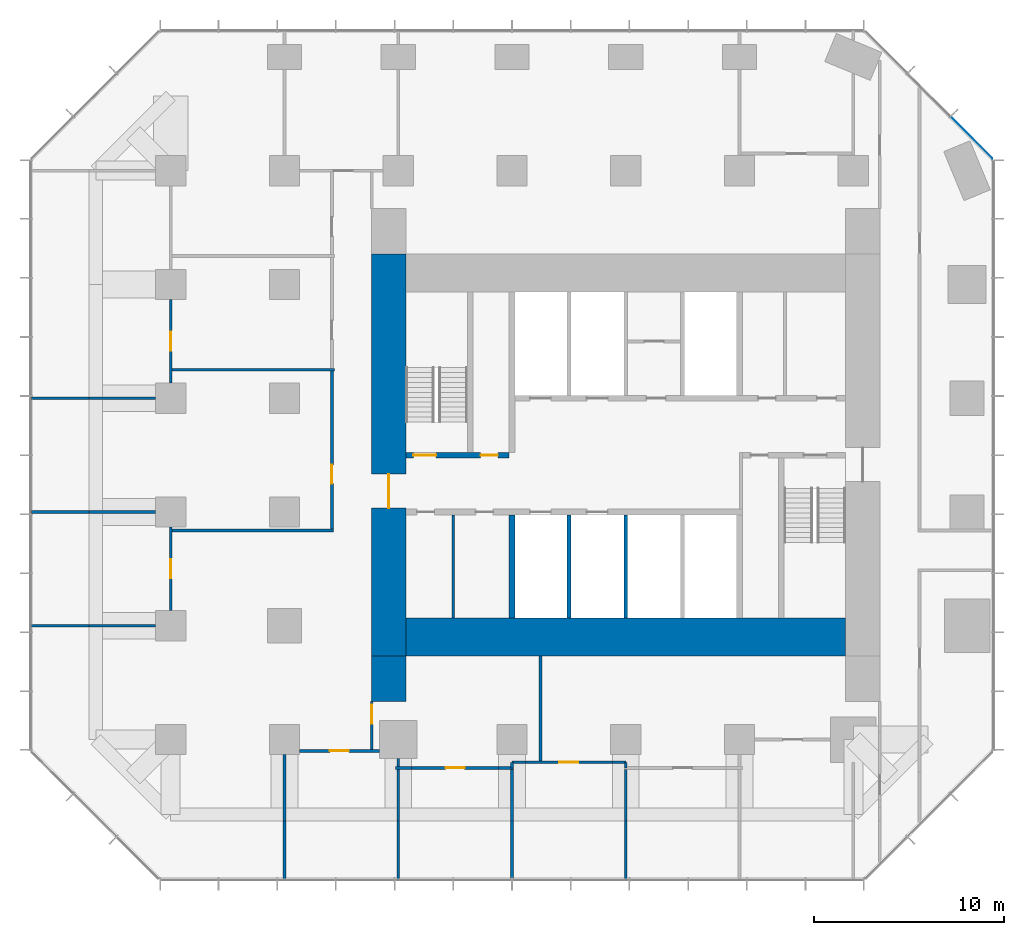
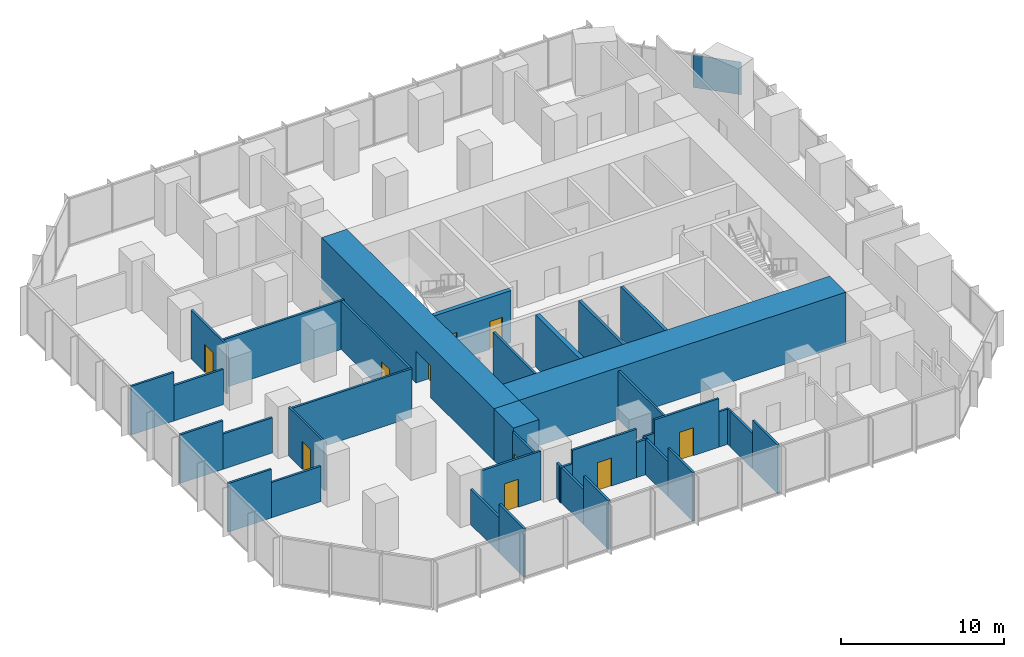
# One storey, part 9 of 13: 39 walls, 10 doors, 1 plate, 10 openings, 1 element without a shape of its own.
"""IFC4 building model written with IfcOpenShell, lengths in metres."""

from ifc_helpers import new_model, si_unit, direction, frame, frame_2d, origin, origin_2d, place, context, subcontext, project, spatial, rectangle, extrude, material, layer, layer_set, type_object, element, fill, aggregate, save


model = new_model("IFC4")

# Units and contexts
model_context = context("Model", 3, precision=1e-05, world=origin(), true_north=direction((0.0, 1.0)))
body_context = subcontext(model_context, "Body", "Model", "MODEL_VIEW")
ifc_project = project(units=[si_unit("LENGTHUNIT", "METRE"), si_unit("AREAUNIT", "SQUARE_METRE"), si_unit("VOLUMEUNIT", "CUBIC_METRE"), si_unit("PLANEANGLEUNIT", "RADIAN"), si_unit("MASSUNIT", "GRAM", prefix="KILO")], contexts=[model_context])

# Site, building, storey
site_placement = place(None, origin())
site = spatial("IfcSite", under=ifc_project, at=site_placement, CompositionType="ELEMENT")
building_placement = place(site_placement, origin())
building = spatial("IfcBuilding", under=site, at=building_placement, Name="Highveld Stack Headquarters", CompositionType="ELEMENT")
storey_placement = place(building_placement, frame((0.0, 0.0, 136.699951171875)))
storey = spatial("IfcBuildingStorey", under=building, at=storey_placement, Name="L33", CompositionType="ELEMENT", Elevation=136.699951171875)

# Curtain wall, plate
ifc_material_1 = material(Name="Aluminium bronze anodised", Category="aluminium")
ifc_layer_1 = layer(ifc_material_1, 0.199951171875)
ifc_layer_set_1 = layer_set([ifc_layer_1], Name="Aluminium bronze anodised")
curtain_wall_type = type_object("IfcCurtainWallType", Name="CW2 TOWER CHAMFER UNITISED CURTAIN WALL", PredefinedType="NOTDEFINED", material=ifc_layer_set_1)
curtain_wall_placement = place(storey_placement, origin())
curtain_wall = element("IfcCurtainWall", 1, at=curtain_wall_placement, inside=storey, type_object=curtain_wall_type, Name="Curtain wall CW2 L33 NE", PredefinedType="NOTDEFINED")
ifc_material_2 = material(Name="Glass bronze tinted double glazed unit", Category="glass")
ifc_layer_2 = layer(ifc_material_2, 0.028076171875)
ifc_layer_set_2 = layer_set([ifc_layer_2], Name="Glass bronze tinted double glazed unit")
plate_type = type_object("IfcPlateType", Name="CW2 PANEL BRONZE TINTED DOUBLE GLAZED UNIT", PredefinedType="CURTAIN_PANEL", material=ifc_layer_set_2)
plate_placement = place(storey_placement, frame((24.239501953125, 19.740478515625, 0.10009765625), z_axis=(0.0, 0.0, 1.0), x_axis=(-0.707106781187, 0.707106781187, 0.0)))
plate = element("IfcPlate", 2, at=plate_placement, type_object=plate_type, Name="CW2 panel L33 1.1", PredefinedType="CURTAIN_PANEL", context=body_context, shape_type="SweptSolid", body=[
    extrude(rectangle(XDim=3.08251953125, YDim=0.028076171875, at=origin_2d()), origin(), (0.0, 0.0, 1.0), 2.449951171875),
])
aggregate(curtain_wall, [plate])

# Wall, opening, door
ifc_material_3 = material(Name="Concrete C60/75", Category="concrete")
ifc_layer_3 = layer(ifc_material_3, 1.800048828125)
ifc_layer_set_3 = layer_set([ifc_layer_3], Name="Concrete C60/75")
wall_type_1 = type_object("IfcWallType", Name="CORE WALL 1800 C60/75", PredefinedType="SHEAR", material=ifc_layer_set_3)
wall_1_placement = place(storey_placement, frame((-6.5, -7.60009765625, 0.0), z_axis=(0.0, 0.0, 1.0), x_axis=(0.0, 1.0, 0.0)))
wall_1 = element("IfcWall", 3, at=wall_1_placement, inside=storey, type_object=wall_type_1, Name="Core wall W L33", PredefinedType="SHEAR", context=body_context, shape_type="SweptSolid", body=[
    extrude(rectangle(XDim=21.2001953125, YDim=1.800048828125, at=frame_2d((10.60009765625, 0.0))), origin(), (0.0, 0.0, 1.0), 3.900146484375),
])
opening_1_placement = place(wall_1_placement, frame((7.800048828125, 0.0, 0.0)))
opening_1 = element("IfcOpeningElement", 4, at=opening_1_placement, cuts=wall_1, Name="Opening L33-01", PredefinedType="OPENING", context=body_context, shape_type="SweptSolid", body=[
    extrude(rectangle(XDim=1.800048828125, YDim=2.39990234375, at=frame_2d((0.89990234375, 1.199951171875))), frame((0.0, 0.909912109375, 0.0), z_axis=(0.0, -1.0, 0.0), x_axis=(1.0, 0.0, 0.0)), (0.0, 0.0, 1.0), 1.820068359375),
])
ifc_material_4 = material(Name="Steel fire door", Category="steel")
door_type_1 = type_object("IfcDoorType", Name="LOBBY FIRE DOOR D4 1800x2400", OperationType="DOUBLE_DOOR_SINGLE_SWING", PredefinedType="DOOR", material=ifc_material_4)
door_1_placement = place(opening_1_placement, origin())
door_1 = element("IfcDoor", 5, at=door_1_placement, inside=storey, type_object=door_type_1, Name="Core west door L33", OperationType="DOUBLE_DOOR_SINGLE_SWING", OverallHeight=2.39990234375, OverallWidth=1.800048828125, PredefinedType="DOOR", context=body_context, shape_type="SweptSolid", body=[
    extrude(rectangle(XDim=1.800048828125, YDim=2.39990234375, at=frame_2d((0.89990234375, 1.199951171875))), frame((0.0, 0.02490234375, 0.0), z_axis=(0.0, -1.0, 0.0), x_axis=(1.0, 0.0, 0.0)), (0.0, 0.0, 1.0), 0.050048828125),
])
fill(opening_1, door_1)

# Wall
ifc_material_5 = material(Name="Concrete C60/75", Category="concrete")
ifc_layer_4 = layer(ifc_material_5, 2.0)
ifc_layer_set_4 = layer_set([ifc_layer_4], Name="Concrete C60/75")
wall_type_2 = type_object("IfcWallType", Name="CORE WALL 2000 C60/75", PredefinedType="SHEAR", material=ifc_layer_set_4)
wall_2_placement = place(storey_placement, frame((-5.60009765625, -6.60009765625, 0.0), z_axis=(0.0, 0.0, 1.0), x_axis=(1.0, 0.0, 0.0)))
element("IfcWall", 6, at=wall_2_placement, inside=storey, type_object=wall_type_2, Name="Core wall S L33", PredefinedType="SHEAR", context=body_context, shape_type="SweptSolid", body=[
    extrude(rectangle(XDim=23.2001953125, YDim=2.0, at=frame_2d((11.60009765625, 0.0))), origin(), (0.0, 0.0, 1.0), 3.900146484375),
])

# Wall, openings, doors
ifc_material_6 = material(Name="Concrete C60/75", Category="concrete")
ifc_layer_5 = layer(ifc_material_6, 0.300048828125)
ifc_layer_set_5 = layer_set([ifc_layer_5], Name="Concrete C60/75")
wall_type_3 = type_object("IfcWallType", Name="CORE WALL 300 C60/75", PredefinedType="SHEAR", material=ifc_layer_set_5)
wall_3_placement = place(storey_placement, frame((-5.60009765625, 3.0, 0.0), z_axis=(0.0, 0.0, 1.0), x_axis=(1.0, 0.0, 0.0)))
wall_3 = element("IfcWall", 7, at=wall_3_placement, inside=storey, type_object=wall_type_3, Name="Core wall I-Y3W L33", PredefinedType="SHEAR", context=body_context, shape_type="SweptSolid", body=[
    extrude(rectangle(XDim=5.4501953125, YDim=0.300048828125, at=frame_2d((2.72509765625, 0.0))), origin(), (0.0, 0.0, 1.0), 3.900146484375),
])
opening_2_placement = place(wall_3_placement, frame((0.39990234375, 0.0, 0.0)))
opening_2 = element("IfcOpeningElement", 8, at=opening_2_placement, cuts=wall_3, Name="Opening L33-03", PredefinedType="OPENING", context=body_context, shape_type="SweptSolid", body=[
    extrude(rectangle(XDim=1.199951171875, YDim=2.10009765625, at=frame_2d((0.60009765625, 1.050048828125))), frame((0.0, 0.159912109375, 0.0), z_axis=(0.0, -1.0, 0.0), x_axis=(1.0, 0.0, 0.0)), (0.0, 0.0, 1.0), 0.320068359375),
])
opening_3_placement = place(wall_3_placement, frame((3.949951171875, 0.0, 0.0)))
opening_3 = element("IfcOpeningElement", 9, at=opening_3_placement, cuts=wall_3, Name="Opening L33-04", PredefinedType="OPENING", context=body_context, shape_type="SweptSolid", body=[
    extrude(rectangle(XDim=0.89990234375, YDim=2.10009765625, at=frame_2d((0.449951171875, 1.050048828125))), frame((0.0, 0.159912109375, 0.0), z_axis=(0.0, -1.0, 0.0), x_axis=(1.0, 0.0, 0.0)), (0.0, 0.0, 1.0), 0.320068359375),
])
ifc_material_7 = material(Name="Steel fire door", Category="steel")
door_type_2 = type_object("IfcDoorType", Name="RISER ACCESS DOOR D5 900x2100", OperationType="SINGLE_SWING_LEFT", PredefinedType="DOOR", material=ifc_material_7)
door_2_placement = place(opening_3_placement, origin())
door_2 = element("IfcDoor", 10, at=door_2_placement, inside=storey, type_object=door_type_2, Name="Riser R1 door L33", OperationType="SINGLE_SWING_RIGHT", OverallHeight=2.10009765625, OverallWidth=0.89990234375, PredefinedType="DOOR", context=body_context, shape_type="SweptSolid", body=[
    extrude(rectangle(XDim=0.89990234375, YDim=2.10009765625, at=frame_2d((0.449951171875, 1.050048828125))), frame((0.0, 0.02490234375, 0.0), z_axis=(0.0, -1.0, 0.0), x_axis=(1.0, 0.0, 0.0)), (0.0, 0.0, 1.0), 0.050048828125),
])
fill(opening_3, door_2)
ifc_material_8 = material(Name="Steel fire door", Category="steel")
door_type_3 = type_object("IfcDoorType", Name="STAIR FIRE DOOR D3 1200x2100", OperationType="SINGLE_SWING_LEFT", PredefinedType="DOOR", material=ifc_material_8)
door_3_placement = place(opening_2_placement, origin())
door_3 = element("IfcDoor", 11, at=door_3_placement, inside=storey, type_object=door_type_3, Name="Stair S1 door L33", OperationType="SINGLE_SWING_LEFT", OverallHeight=2.10009765625, OverallWidth=1.199951171875, PredefinedType="DOOR", context=body_context, shape_type="SweptSolid", body=[
    extrude(rectangle(XDim=1.199951171875, YDim=2.10009765625, at=frame_2d((0.60009765625, 1.050048828125))), frame((0.0, 0.02490234375, 0.0), z_axis=(0.0, -1.0, 0.0), x_axis=(1.0, 0.0, 0.0)), (0.0, 0.0, 1.0), 0.050048828125),
])
fill(opening_2, door_3)

# Walls
wall_4_placement = place(storey_placement, frame((0.0, -5.60009765625, 0.0), z_axis=(0.0, 0.0, 1.0), x_axis=(0.0, 1.0, 0.0)))
element("IfcWall", 12, at=wall_4_placement, inside=storey, type_object=wall_type_3, Name="Core wall I-X0S L33", PredefinedType="SHEAR", context=body_context, shape_type="SweptSolid", body=[
    extrude(rectangle(XDim=5.4501953125, YDim=0.300048828125, at=frame_2d((2.72509765625, 0.0))), origin(), (0.0, 0.0, 1.0), 3.900146484375),
])
ifc_material_9 = material(Name="Concrete C60/75", Category="concrete")
ifc_layer_6 = layer(ifc_material_9, 1.800048828125)
ifc_layer_set_6 = layer_set([ifc_layer_6], Name="Concrete C60/75")
wall_type_4 = type_object("IfcWallType", Name="CORE WING WALL 1800 C60/75", PredefinedType="SHEAR", material=ifc_layer_set_6)
wall_5_placement = place(storey_placement, frame((-6.5, -10.0, 0.0), z_axis=(0.0, 0.0, 1.0), x_axis=(0.0, 1.0, 0.0)))
element("IfcWall", 13, at=wall_5_placement, inside=storey, type_object=wall_type_4, Name="Core wing wall WS L33", PredefinedType="SHEAR", context=body_context, shape_type="SweptSolid", body=[
    extrude(rectangle(XDim=2.39990234375, YDim=1.800048828125, at=frame_2d((1.199951171875, 0.0))), origin(), (0.0, 0.0, 1.0), 3.900146484375),
])

# Wall, opening, door
ifc_material_10 = material(Name="Laminated glass in aluminium frame", Category="aluminium")
ifc_layer_7 = layer(ifc_material_10, 0.14990234375)
ifc_layer_set_7 = layer_set([ifc_layer_7], Name="Laminated glass in aluminium frame")
wall_type_5 = type_object("IfcWallType", Name="GLAZED PARTITION 150", PredefinedType="PARTITIONING", material=ifc_layer_set_7)
wall_6_placement = place(storey_placement, frame((-11.199951171875, -12.60009765625, 0.0), z_axis=(0.0, 0.0, 1.0), x_axis=(1.0, 0.0, 0.0)))
wall_6 = element("IfcWall", 14, at=wall_6_placement, inside=storey, type_object=wall_type_5, Name="Glazed partition Video conference room L33", PredefinedType="PARTITIONING", context=body_context, shape_type="SweptSolid", body=[
    extrude(rectangle(XDim=4.199951171875, YDim=0.14990234375, at=frame_2d((2.10009765625, 0.0))), origin(), (0.0, 0.0, 1.0), 3.650146484375),
])
opening_4_placement = place(wall_6_placement, frame((1.60009765625, 0.0, 0.0)))
opening_4 = element("IfcOpeningElement", 15, at=opening_4_placement, cuts=wall_6, Name="Opening L33-13", PredefinedType="OPENING", context=body_context, shape_type="SweptSolid", body=[
    extrude(rectangle(XDim=1.0, YDim=2.10009765625, at=frame_2d((0.5, 1.050048828125))), frame((0.0, 0.0849609375, 0.0), z_axis=(0.0, -1.0, 0.0), x_axis=(1.0, 0.0, 0.0)), (0.0, 0.0, 1.0), 0.169921875),
])
ifc_material_11 = material(Name="Timber door, oiled ash", Category="wood")
door_type_4 = type_object("IfcDoorType", Name="ROOM DOOR D6 1000x2100", OperationType="SINGLE_SWING_LEFT", PredefinedType="DOOR", material=ifc_material_11)
door_4_placement = place(opening_4_placement, origin())
door_4 = element("IfcDoor", 16, at=door_4_placement, inside=storey, type_object=door_type_4, Name="Video conference room door 1 L33", OperationType="SINGLE_SWING_RIGHT", OverallHeight=2.10009765625, OverallWidth=1.0, PredefinedType="DOOR", context=body_context, shape_type="SweptSolid", body=[
    extrude(rectangle(XDim=1.0, YDim=2.10009765625, at=frame_2d((0.5, 1.050048828125))), frame((0.0, 0.02490234375, 0.0), z_axis=(0.0, -1.0, 0.0), x_axis=(1.0, 0.0, 0.0)), (0.0, 0.0, 1.0), 0.050048828125),
])
fill(opening_4, door_4)

wall_7_placement = place(storey_placement, frame((-18.0, -5.199951171875, 0.0), z_axis=(0.0, 0.0, 1.0), x_axis=(0.0, 1.0, 0.0)))
wall_7 = element("IfcWall", 17, at=wall_7_placement, inside=storey, type_object=wall_type_5, Name="Glazed partition Meeting room L33", PredefinedType="PARTITIONING", context=body_context, shape_type="SweptSolid", body=[
    extrude(rectangle(XDim=4.39990234375, YDim=0.14990234375, at=frame_2d((2.199951171875, 0.0))), origin(), (0.0, 0.0, 1.0), 3.650146484375),
])
opening_5_placement = place(wall_7_placement, frame((1.699951171875, 0.0, 0.0)))
opening_5 = element("IfcOpeningElement", 18, at=opening_5_placement, cuts=wall_7, Name="Opening L33-18", PredefinedType="OPENING", context=body_context, shape_type="SweptSolid", body=[
    extrude(rectangle(XDim=1.0, YDim=2.10009765625, at=frame_2d((0.5, 1.050048828125))), frame((0.0, 0.0849609375, 0.0), z_axis=(0.0, -1.0, 0.0), x_axis=(1.0, 0.0, 0.0)), (0.0, 0.0, 1.0), 0.169921875),
])
door_5_placement = place(opening_5_placement, origin())
door_5 = element("IfcDoor", 19, at=door_5_placement, inside=storey, type_object=door_type_4, Name="Meeting room door 1 L33", OperationType="SINGLE_SWING_LEFT", OverallHeight=2.10009765625, OverallWidth=1.0, PredefinedType="DOOR", context=body_context, shape_type="SweptSolid", body=[
    extrude(rectangle(XDim=1.0, YDim=2.10009765625, at=frame_2d((0.5, 1.050048828125))), frame((0.0, 0.02490234375, 0.0), z_axis=(0.0, -1.0, 0.0), x_axis=(1.0, 0.0, 0.0)), (0.0, 0.0, 1.0), 0.050048828125),
])
fill(opening_5, door_5)

# Walls
ifc_material_12 = material(Name="Concrete blockwork, fair-faced", Category="masonry")
ifc_layer_8 = layer(ifc_material_12, 0.199951171875)
ifc_layer_set_8 = layer_set([ifc_layer_8], Name="Concrete blockwork, fair-faced")
wall_type_6 = type_object("IfcWallType", Name="LIFT SHAFT ENCLOSURE WALL 200 BLOCKWORK", PredefinedType="SOLIDWALL", material=ifc_layer_set_8)
for number, where, z_axis, x_axis, name in (
    (20, (3.0, -5.60009765625, 0.0), (0.0, 0.0, 1.0), (0.0, 1.0, 0.0), "Lift shaft wall L33"),
    (21, (6.0, -5.60009765625, 0.0), (0.0, 0.0, 1.0), (0.0, 1.0, 0.0), "Lift shaft wall L33"),
):
    element("IfcWall", number, at=place(storey_placement, frame(where, z_axis=z_axis, x_axis=x_axis)), inside=storey, type_object=wall_type_6, Name=name, PredefinedType="SOLIDWALL", context=body_context, shape_type="SweptSolid", body=[
        extrude(rectangle(XDim=5.4501953125, YDim=0.199951171875, at=frame_2d((2.72509765625, 0.0))), origin(), (0.0, 0.0, 1.0), 3.900146484375),
    ])
ifc_material_13 = material(Name="Gypsum plasterboard on steel studs", Category="steel")
ifc_layer_9 = layer(ifc_material_13, 0.14990234375)
ifc_layer_set_9 = layer_set([ifc_layer_9], Name="Gypsum plasterboard on steel studs")
wall_type_7 = type_object("IfcWallType", Name="PARTITION 150 PLASTERBOARD", PredefinedType="PARTITIONING", material=ifc_layer_set_9)
wall_8_placement = place(storey_placement, frame((-6.14990234375, -13.5, 0.0), z_axis=(0.0, 0.0, 1.0), x_axis=(1.0, 0.0, 0.0)))
element("IfcWall", 22, at=wall_8_placement, inside=storey, type_object=wall_type_7, Name="Partition Quiet room L33", PredefinedType="PARTITIONING", context=body_context, shape_type="SweptSolid", body=[
    extrude(rectangle(XDim=0.85986328125, YDim=0.14990234375, at=frame_2d((0.429931640625, 0.0))), origin(), (0.0, 0.0, 1.0), 2.650146484375),
])

# Wall, opening, door
wall_9_placement = place(storey_placement, frame((-5.2900390625, -13.5, 0.0), z_axis=(0.0, 0.0, 1.0), x_axis=(1.0, 0.0, 0.0)))
wall_9 = element("IfcWall", 23, at=wall_9_placement, inside=storey, type_object=wall_type_7, Name="Partition Quiet room L33", PredefinedType="PARTITIONING", context=body_context, shape_type="SweptSolid", body=[
    extrude(rectangle(XDim=4.580078125, YDim=0.14990234375, at=frame_2d((2.2900390625, 0.0))), origin(), (0.0, 0.0, 1.0), 3.650146484375),
])
opening_6_placement = place(wall_9_placement, frame((1.7900390625, 0.0, 0.0)))
opening_6 = element("IfcOpeningElement", 24, at=opening_6_placement, cuts=wall_9, Name="Opening L33-14", PredefinedType="OPENING", context=body_context, shape_type="SweptSolid", body=[
    extrude(rectangle(XDim=1.0, YDim=2.10009765625, at=frame_2d((0.5, 1.050048828125))), frame((0.0, 0.0849609375, 0.0), z_axis=(0.0, -1.0, 0.0), x_axis=(1.0, 0.0, 0.0)), (0.0, 0.0, 1.0), 0.169921875),
])
door_6_placement = place(opening_6_placement, origin())
door_6 = element("IfcDoor", 25, at=door_6_placement, inside=storey, type_object=door_type_4, Name="Quiet room door 1 L33", OperationType="SINGLE_SWING_RIGHT", OverallHeight=2.10009765625, OverallWidth=1.0, PredefinedType="DOOR", context=body_context, shape_type="SweptSolid", body=[
    extrude(rectangle(XDim=1.0, YDim=2.10009765625, at=frame_2d((0.5, 1.050048828125))), frame((0.0, 0.02490234375, 0.0), z_axis=(0.0, -1.0, 0.0), x_axis=(1.0, 0.0, 0.0)), (0.0, 0.0, 1.0), 0.050048828125),
])
fill(opening_6, door_6)

# Walls
wall_10_placement = place(storey_placement, frame((-0.7099609375, -13.5, 0.0), z_axis=(0.0, 0.0, 1.0), x_axis=(1.0, 0.0, 0.0)))
element("IfcWall", 26, at=wall_10_placement, inside=storey, type_object=wall_type_7, Name="Partition Quiet room L33", PredefinedType="PARTITIONING", context=body_context, shape_type="SweptSolid", body=[
    extrude(rectangle(XDim=0.784912109375, YDim=0.14990234375, at=frame_2d((0.392578125, 0.0))), origin(), (0.0, 0.0, 1.0), 2.650146484375),
])
wall_11_placement = place(storey_placement, frame((0.0, -13.199951171875, 0.0), z_axis=(0.0, 0.0, 1.0), x_axis=(1.0, 0.0, 0.0)))
element("IfcWall", 27, at=wall_11_placement, inside=storey, type_object=wall_type_7, Name="Partition Tea kitchen L33", PredefinedType="PARTITIONING", context=body_context, shape_type="SweptSolid", body=[
    extrude(rectangle(XDim=0.7099609375, YDim=0.14990234375, at=frame_2d((0.35498046875, 0.0))), origin(), (0.0, 0.0, 1.0), 2.650146484375),
])

# Wall, opening, door
wall_12_placement = place(storey_placement, frame((0.7099609375, -13.199951171875, 0.0), z_axis=(0.0, 0.0, 1.0), x_axis=(1.0, 0.0, 0.0)))
wall_12 = element("IfcWall", 28, at=wall_12_placement, inside=storey, type_object=wall_type_7, Name="Partition Tea kitchen L33", PredefinedType="PARTITIONING", context=body_context, shape_type="SweptSolid", body=[
    extrude(rectangle(XDim=4.580078125, YDim=0.14990234375, at=frame_2d((2.2900390625, 0.0))), origin(), (0.0, 0.0, 1.0), 3.650146484375),
])
opening_7_placement = place(wall_12_placement, frame((1.7900390625, 0.0, 0.0)))
opening_7 = element("IfcOpeningElement", 29, at=opening_7_placement, cuts=wall_12, Name="Opening L33-15", PredefinedType="OPENING", context=body_context, shape_type="SweptSolid", body=[
    extrude(rectangle(XDim=1.0, YDim=2.10009765625, at=frame_2d((0.5, 1.050048828125))), frame((0.0, 0.0849609375, 0.0), z_axis=(0.0, -1.0, 0.0), x_axis=(1.0, 0.0, 0.0)), (0.0, 0.0, 1.0), 0.169921875),
])
door_7_placement = place(opening_7_placement, origin())
door_7 = element("IfcDoor", 30, at=door_7_placement, inside=storey, type_object=door_type_4, Name="Tea kitchen door 1 L33", OperationType="SINGLE_SWING_LEFT", OverallHeight=2.10009765625, OverallWidth=1.0, PredefinedType="DOOR", context=body_context, shape_type="SweptSolid", body=[
    extrude(rectangle(XDim=1.0, YDim=2.10009765625, at=frame_2d((0.5, 1.050048828125))), frame((0.0, 0.02490234375, 0.0), z_axis=(0.0, -1.0, 0.0), x_axis=(1.0, 0.0, 0.0)), (0.0, 0.0, 1.0), 0.050048828125),
])
fill(opening_7, door_7)

# Walls
wall_13_placement = place(storey_placement, frame((5.2900390625, -13.199951171875, 0.0), z_axis=(0.0, 0.0, 1.0), x_axis=(1.0, 0.0, 0.0)))
element("IfcWall", 31, at=wall_13_placement, inside=storey, type_object=wall_type_7, Name="Partition Tea kitchen L33", PredefinedType="PARTITIONING", context=body_context, shape_type="SweptSolid", body=[
    extrude(rectangle(XDim=0.7099609375, YDim=0.14990234375, at=frame_2d((0.35498046875, 0.0))), origin(), (0.0, 0.0, 1.0), 2.650146484375),
])
wall_14_placement = place(storey_placement, frame((-25.39990234375, -6.0, 0.0), z_axis=(0.0, 0.0, 1.0), x_axis=(1.0, 0.0, 0.0)))
element("IfcWall", 32, at=wall_14_placement, inside=storey, type_object=wall_type_7, Name="Partition Meeting room L33", PredefinedType="PARTITIONING", context=body_context, shape_type="SweptSolid", body=[
    extrude(rectangle(XDim=3.08984375, YDim=0.14990234375, at=frame_2d((1.544921875, 0.0))), origin(), (0.0, 0.0, 1.0), 3.650146484375),
])
wall_15_placement = place(storey_placement, frame((-22.31005859375, -6.0, 0.0), z_axis=(0.0, 0.0, 1.0), x_axis=(1.0, 0.0, 0.0)))
element("IfcWall", 33, at=wall_15_placement, inside=storey, type_object=wall_type_7, Name="Partition Meeting room L33", PredefinedType="PARTITIONING", context=body_context, shape_type="SweptSolid", body=[
    extrude(rectangle(XDim=3.510009765625, YDim=0.14990234375, at=frame_2d((1.7548828125, 0.0))), origin(), (0.0, 0.0, 1.0), 2.650146484375),
])
wall_16_placement = place(storey_placement, frame((-25.35009765625, 0.0, 0.0), z_axis=(0.0, 0.0, 1.0), x_axis=(1.0, 0.0, 0.0)))
element("IfcWall", 34, at=wall_16_placement, inside=storey, type_object=wall_type_7, Name="Partition Meeting room L33", PredefinedType="PARTITIONING", context=body_context, shape_type="SweptSolid", body=[
    extrude(rectangle(XDim=3.0400390625, YDim=0.14990234375, at=frame_2d((1.52001953125, 0.0))), origin(), (0.0, 0.0, 1.0), 3.650146484375),
])
wall_17_placement = place(storey_placement, frame((-22.31005859375, 0.0, 0.0), z_axis=(0.0, 0.0, 1.0), x_axis=(1.0, 0.0, 0.0)))
element("IfcWall", 35, at=wall_17_placement, inside=storey, type_object=wall_type_7, Name="Partition Meeting room L33", PredefinedType="PARTITIONING", context=body_context, shape_type="SweptSolid", body=[
    extrude(rectangle(XDim=3.510009765625, YDim=0.14990234375, at=frame_2d((1.7548828125, 0.0))), origin(), (0.0, 0.0, 1.0), 2.650146484375),
])
wall_18_placement = place(storey_placement, frame((-25.35009765625, 6.0, 0.0), z_axis=(0.0, 0.0, 1.0), x_axis=(1.0, 0.0, 0.0)))
element("IfcWall", 36, at=wall_18_placement, inside=storey, type_object=wall_type_7, Name="Partition Team office L33", PredefinedType="PARTITIONING", context=body_context, shape_type="SweptSolid", body=[
    extrude(rectangle(XDim=3.0400390625, YDim=0.14990234375, at=frame_2d((1.52001953125, 0.0))), origin(), (0.0, 0.0, 1.0), 3.650146484375),
])
wall_19_placement = place(storey_placement, frame((-22.31005859375, 6.0, 0.0), z_axis=(0.0, 0.0, 1.0), x_axis=(1.0, 0.0, 0.0)))
element("IfcWall", 37, at=wall_19_placement, inside=storey, type_object=wall_type_7, Name="Partition Team office L33", PredefinedType="PARTITIONING", context=body_context, shape_type="SweptSolid", body=[
    extrude(rectangle(XDim=3.510009765625, YDim=0.14990234375, at=frame_2d((1.7548828125, 0.0))), origin(), (0.0, 0.0, 1.0), 2.650146484375),
])

# Wall, opening, door
wall_20_placement = place(storey_placement, frame((-18.0, 6.800048828125, 0.0), z_axis=(0.0, 0.0, 1.0), x_axis=(0.0, 1.0, 0.0)))
wall_20 = element("IfcWall", 38, at=wall_20_placement, inside=storey, type_object=wall_type_7, Name="Partition Team office L33", PredefinedType="PARTITIONING", context=body_context, shape_type="SweptSolid", body=[
    extrude(rectangle(XDim=4.39990234375, YDim=0.14990234375, at=frame_2d((2.199951171875, 0.0))), origin(), (0.0, 0.0, 1.0), 3.650146484375),
])
opening_8_placement = place(wall_20_placement, frame((1.699951171875, 0.0, 0.0)))
opening_8 = element("IfcOpeningElement", 39, at=opening_8_placement, cuts=wall_20, Name="Opening L33-19", PredefinedType="OPENING", context=body_context, shape_type="SweptSolid", body=[
    extrude(rectangle(XDim=1.0, YDim=2.10009765625, at=frame_2d((0.5, 1.050048828125))), frame((0.0, 0.0849609375, 0.0), z_axis=(0.0, -1.0, 0.0), x_axis=(1.0, 0.0, 0.0)), (0.0, 0.0, 1.0), 0.169921875),
])
door_8_placement = place(opening_8_placement, origin())
door_8 = element("IfcDoor", 40, at=door_8_placement, inside=storey, type_object=door_type_4, Name="Team office door 1 L33", OperationType="SINGLE_SWING_LEFT", OverallHeight=2.10009765625, OverallWidth=1.0, PredefinedType="DOOR", context=body_context, shape_type="SweptSolid", body=[
    extrude(rectangle(XDim=1.0, YDim=2.10009765625, at=frame_2d((0.5, 1.050048828125))), frame((0.0, 0.02490234375, 0.0), z_axis=(0.0, -1.0, 0.0), x_axis=(1.0, 0.0, 0.0)), (0.0, 0.0, 1.0), 0.050048828125),
])
fill(opening_8, door_8)

# Walls
wall_21_placement = place(storey_placement, frame((-12.0, -19.39990234375, 0.0), z_axis=(0.0, 0.0, 1.0), x_axis=(0.0, 1.0, 0.0)))
element("IfcWall", 41, at=wall_21_placement, inside=storey, type_object=wall_type_7, Name="Partition Video conference room L33", PredefinedType="PARTITIONING", context=body_context, shape_type="SweptSolid", body=[
    extrude(rectangle(XDim=3.08984375, YDim=0.14990234375, at=frame_2d((1.544921875, 0.0))), origin(), (0.0, 0.0, 1.0), 3.650146484375),
])
wall_22_placement = place(storey_placement, frame((-12.0, -16.31005859375, 0.0), z_axis=(0.0, 0.0, 1.0), x_axis=(0.0, 1.0, 0.0)))
element("IfcWall", 42, at=wall_22_placement, inside=storey, type_object=wall_type_7, Name="Partition Video conference room L33", PredefinedType="PARTITIONING", context=body_context, shape_type="SweptSolid", body=[
    extrude(rectangle(XDim=3.510009765625, YDim=0.14990234375, at=frame_2d((1.7548828125, 0.0))), origin(), (0.0, 0.0, 1.0), 2.650146484375),
])
wall_23_placement = place(storey_placement, frame((-6.0, -19.39990234375, 0.0), z_axis=(0.0, 0.0, 1.0), x_axis=(0.0, 1.0, 0.0)))
element("IfcWall", 43, at=wall_23_placement, inside=storey, type_object=wall_type_7, Name="Partition Quiet room / Video conference room L33", PredefinedType="PARTITIONING", context=body_context, shape_type="SweptSolid", body=[
    extrude(rectangle(XDim=3.08984375, YDim=0.14990234375, at=frame_2d((1.544921875, 0.0))), origin(), (0.0, 0.0, 1.0), 3.650146484375),
])
wall_24_placement = place(storey_placement, frame((-6.0, -16.31005859375, 0.0), z_axis=(0.0, 0.0, 1.0), x_axis=(0.0, 1.0, 0.0)))
element("IfcWall", 44, at=wall_24_placement, inside=storey, type_object=wall_type_7, Name="Partition Quiet room / Video conference room L33", PredefinedType="PARTITIONING", context=body_context, shape_type="SweptSolid", body=[
    extrude(rectangle(XDim=2.735107421875, YDim=0.14990234375, at=frame_2d((1.36767578125, 0.0))), origin(), (0.0, 0.0, 1.0), 2.650146484375),
])
wall_25_placement = place(storey_placement, frame((-6.0, -13.425048828125, 0.0), z_axis=(0.0, 0.0, 1.0), x_axis=(0.0, 1.0, 0.0)))
element("IfcWall", 45, at=wall_25_placement, inside=storey, type_object=wall_type_7, Name="Partition Video conference room L33", PredefinedType="PARTITIONING", context=body_context, shape_type="SweptSolid", body=[
    extrude(rectangle(XDim=0.425048828125, YDim=0.14990234375, at=frame_2d((0.21240234375, 0.0))), origin(), (0.0, 0.0, 1.0), 2.650146484375),
])
wall_26_placement = place(storey_placement, frame((0.0, -19.35009765625, 0.0), z_axis=(0.0, 0.0, 1.0), x_axis=(0.0, 1.0, 0.0)))
element("IfcWall", 46, at=wall_26_placement, inside=storey, type_object=wall_type_7, Name="Partition Quiet room / Tea kitchen L33", PredefinedType="PARTITIONING", context=body_context, shape_type="SweptSolid", body=[
    extrude(rectangle(XDim=3.0400390625, YDim=0.14990234375, at=frame_2d((1.52001953125, 0.0))), origin(), (0.0, 0.0, 1.0), 3.650146484375),
])
wall_27_placement = place(storey_placement, frame((0.0, -16.31005859375, 0.0), z_axis=(0.0, 0.0, 1.0), x_axis=(0.0, 1.0, 0.0)))
element("IfcWall", 47, at=wall_27_placement, inside=storey, type_object=wall_type_7, Name="Partition Quiet room / Tea kitchen L33", PredefinedType="PARTITIONING", context=body_context, shape_type="SweptSolid", body=[
    extrude(rectangle(XDim=2.735107421875, YDim=0.14990234375, at=frame_2d((1.36767578125, 0.0))), origin(), (0.0, 0.0, 1.0), 2.650146484375),
])
wall_28_placement = place(storey_placement, frame((0.0, -13.5, 0.0), z_axis=(0.0, 0.0, 1.0), x_axis=(0.0, 1.0, 0.0)))
element("IfcWall", 48, at=wall_28_placement, inside=storey, type_object=wall_type_7, Name="Partition Tea kitchen L33", PredefinedType="PARTITIONING", context=body_context, shape_type="SweptSolid", body=[
    extrude(rectangle(XDim=0.300048828125, YDim=0.14990234375, at=frame_2d((0.14990234375, 0.0))), origin(), (0.0, 0.0, 1.0), 2.650146484375),
])
wall_29_placement = place(storey_placement, frame((6.0, -19.39990234375, 0.0), z_axis=(0.0, 0.0, 1.0), x_axis=(0.0, 1.0, 0.0)))
element("IfcWall", 49, at=wall_29_placement, inside=storey, type_object=wall_type_7, Name="Partition Quiet room / Tea kitchen L33", PredefinedType="PARTITIONING", context=body_context, shape_type="SweptSolid", body=[
    extrude(rectangle(XDim=3.08984375, YDim=0.14990234375, at=frame_2d((1.544921875, 0.0))), origin(), (0.0, 0.0, 1.0), 3.650146484375),
])
wall_30_placement = place(storey_placement, frame((6.0, -16.31005859375, 0.0), z_axis=(0.0, 0.0, 1.0), x_axis=(0.0, 1.0, 0.0)))
element("IfcWall", 50, at=wall_30_placement, inside=storey, type_object=wall_type_7, Name="Partition Quiet room / Tea kitchen L33", PredefinedType="PARTITIONING", context=body_context, shape_type="SweptSolid", body=[
    extrude(rectangle(XDim=2.735107421875, YDim=0.14990234375, at=frame_2d((1.36767578125, 0.0))), origin(), (0.0, 0.0, 1.0), 2.650146484375),
])
wall_31_placement = place(storey_placement, frame((6.0, -13.5, 0.0), z_axis=(0.0, 0.0, 1.0), x_axis=(0.0, 1.0, 0.0)))
element("IfcWall", 51, at=wall_31_placement, inside=storey, type_object=wall_type_7, Name="Partition Tea kitchen L33", PredefinedType="PARTITIONING", context=body_context, shape_type="SweptSolid", body=[
    extrude(rectangle(XDim=0.300048828125, YDim=0.14990234375, at=frame_2d((0.14990234375, 0.0))), origin(), (0.0, 0.0, 1.0), 2.650146484375),
])
wall_32_placement = place(storey_placement, frame((-17.925048828125, -0.97509765625, 0.0), z_axis=(0.0, 0.0, 1.0), x_axis=(1.0, 0.0, 0.0)))
element("IfcWall", 52, at=wall_32_placement, inside=storey, type_object=wall_type_7, Name="Partition office neighbourhood L33", PredefinedType="PARTITIONING", context=body_context, shape_type="SweptSolid", body=[
    extrude(rectangle(XDim=8.5, YDim=0.14990234375, at=frame_2d((4.25, 0.0))), origin(), (0.0, 0.0, 1.0), 3.650146484375),
])
wall_33_placement = place(storey_placement, frame((-17.925048828125, 7.5, 0.0), z_axis=(0.0, 0.0, 1.0), x_axis=(1.0, 0.0, 0.0)))
element("IfcWall", 53, at=wall_33_placement, inside=storey, type_object=wall_type_7, Name="Partition office neighbourhood L33", PredefinedType="PARTITIONING", context=body_context, shape_type="SweptSolid", body=[
    extrude(rectangle(XDim=8.574951171875, YDim=0.14990234375, at=frame_2d((4.28759765625, 0.0))), origin(), (0.0, 0.0, 1.0), 3.650146484375),
])

# Wall, opening, door
wall_34_placement = place(storey_placement, frame((-9.5, -0.89990234375, 0.0), z_axis=(0.0, 0.0, 1.0), x_axis=(0.0, 1.0, 0.0)))
wall_34 = element("IfcWall", 54, at=wall_34_placement, inside=storey, type_object=wall_type_7, Name="Partition office neighbourhood L33", PredefinedType="PARTITIONING", context=body_context, shape_type="SweptSolid", body=[
    extrude(rectangle(XDim=8.324951171875, YDim=0.14990234375, at=frame_2d((4.16259765625, 0.0))), origin(), (0.0, 0.0, 1.0), 3.650146484375),
])
opening_9_placement = place(wall_34_placement, frame((2.39111328125, 0.0, 0.0)))
opening_9 = element("IfcOpeningElement", 55, at=opening_9_placement, cuts=wall_34, Name="Opening L33-24", PredefinedType="OPENING", context=body_context, shape_type="SweptSolid", body=[
    extrude(rectangle(XDim=1.0, YDim=2.10009765625, at=frame_2d((0.5, 1.050048828125))), frame((0.0, 0.0849609375, 0.0), z_axis=(0.0, -1.0, 0.0), x_axis=(1.0, 0.0, 0.0)), (0.0, 0.0, 1.0), 0.169921875),
])
door_9_placement = place(opening_9_placement, origin())
door_9 = element("IfcDoor", 56, at=door_9_placement, inside=storey, type_object=door_type_4, Name="Office neighbourhood door L33", OperationType="SINGLE_SWING_LEFT", OverallHeight=2.10009765625, OverallWidth=1.0, PredefinedType="DOOR", context=body_context, shape_type="SweptSolid", body=[
    extrude(rectangle(XDim=1.0, YDim=2.10009765625, at=frame_2d((0.5, 1.050048828125))), frame((0.0, 0.02490234375, 0.0), z_axis=(0.0, -1.0, 0.0), x_axis=(1.0, 0.0, 0.0)), (0.0, 0.0, 1.0), 0.050048828125),
])
fill(opening_9, door_9)

wall_35_placement = place(storey_placement, frame((-7.39990234375, -12.52490234375, 0.0), z_axis=(0.0, 0.0, 1.0), x_axis=(0.0, 1.0, 0.0)))
wall_35 = element("IfcWall", 57, at=wall_35_placement, inside=storey, type_object=wall_type_7, Name="Partition office neighbourhood L33", PredefinedType="PARTITIONING", context=body_context, shape_type="SweptSolid", body=[
    extrude(rectangle(XDim=2.52490234375, YDim=0.14990234375, at=frame_2d((1.262451171875, 0.0))), origin(), (0.0, 0.0, 1.0), 3.650146484375),
])
opening_10_placement = place(wall_35_placement, frame((1.35009765625, 0.0, 0.0)))
opening_10 = element("IfcOpeningElement", 58, at=opening_10_placement, cuts=wall_35, Name="Opening L33-29", PredefinedType="OPENING", context=body_context, shape_type="SweptSolid", body=[
    extrude(rectangle(XDim=1.0, YDim=2.10009765625, at=frame_2d((0.5, 1.050048828125))), frame((0.0, 0.0849609375, 0.0), z_axis=(0.0, -1.0, 0.0), x_axis=(1.0, 0.0, 0.0)), (0.0, 0.0, 1.0), 0.169921875),
])
door_10_placement = place(opening_10_placement, origin())
door_10 = element("IfcDoor", 59, at=door_10_placement, inside=storey, type_object=door_type_4, Name="Office neighbourhood door L33", OperationType="SINGLE_SWING_RIGHT", OverallHeight=2.10009765625, OverallWidth=1.0, PredefinedType="DOOR", context=body_context, shape_type="SweptSolid", body=[
    extrude(rectangle(XDim=1.0, YDim=2.10009765625, at=frame_2d((0.5, 1.050048828125))), frame((0.0, 0.02490234375, 0.0), z_axis=(0.0, -1.0, 0.0), x_axis=(1.0, 0.0, 0.0)), (0.0, 0.0, 1.0), 0.050048828125),
])
fill(opening_10, door_10)

# Walls
wall_36_placement = place(storey_placement, frame((1.5, -13.125, 0.0), z_axis=(0.0, 0.0, 1.0), x_axis=(0.0, 1.0, 0.0)))
element("IfcWall", 60, at=wall_36_placement, inside=storey, type_object=wall_type_7, Name="Partition office neighbourhood L33", PredefinedType="PARTITIONING", context=body_context, shape_type="SweptSolid", body=[
    extrude(rectangle(XDim=5.52490234375, YDim=0.14990234375, at=frame_2d((2.762451171875, 0.0))), origin(), (0.0, 0.0, 1.0), 3.650146484375),
])
ifc_material_14 = material(Name="Concrete blockwork, tiled", Category="masonry")
ifc_layer_10 = layer(ifc_material_14, 0.14990234375)
ifc_layer_set_10 = layer_set([ifc_layer_10], Name="Concrete blockwork, tiled")
wall_type_8 = type_object("IfcWallType", Name="WC PARTITION 150", PredefinedType="PLUMBINGWALL", material=ifc_layer_set_10)
wall_37_placement = place(storey_placement, frame((-3.10009765625, -5.60009765625, 0.0), z_axis=(0.0, 0.0, 1.0), x_axis=(0.0, 1.0, 0.0)))
element("IfcWall", 61, at=wall_37_placement, inside=storey, type_object=wall_type_8, Name="Toilet partition L33", PredefinedType="PLUMBINGWALL", context=body_context, shape_type="SweptSolid", body=[
    extrude(rectangle(XDim=5.4501953125, YDim=0.14990234375, at=frame_2d((2.72509765625, 0.0))), origin(), (0.0, 0.0, 1.0), 3.650146484375),
])

save(model, "model.ifc")
